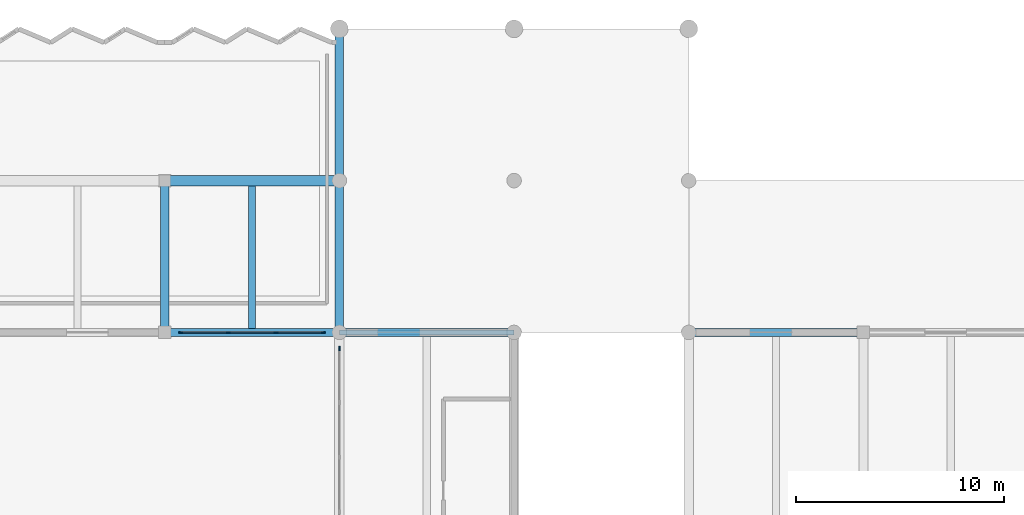
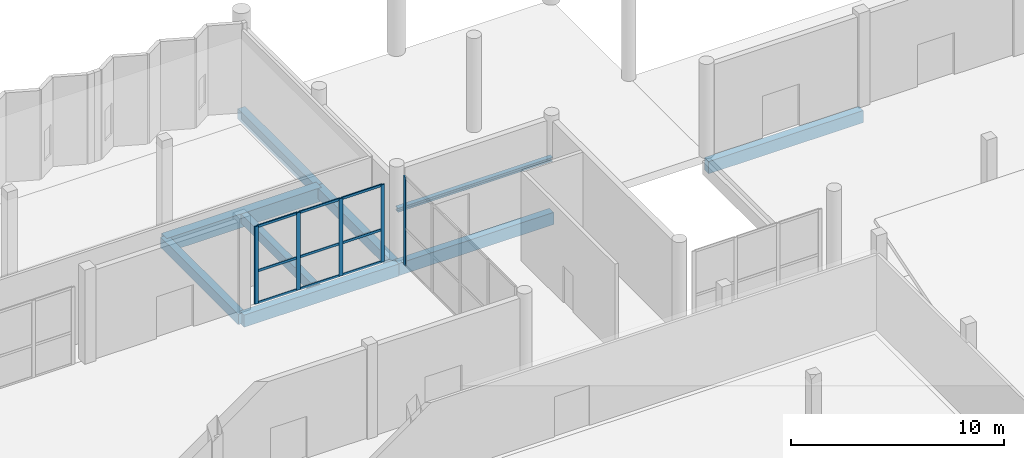
# One storey, part 17 of 41: 14 members, 9 beams, 2 elements without a shape of their own.
"""IFC4 building model written with IfcOpenShell, lengths in metres."""

from ifc_helpers import new_model, si_unit, direction, frame, origin, origin_2d, place, context, subcontext, project, spatial, rectangle, i_section, extrude, material, material_profile, profile_set, type_object, element, aggregate, save


model = new_model("IFC4")

# Units and contexts
model_context = context("Model", 3, precision=1e-05, world=origin(), true_north=direction((0.0, 1.0)))
body_context = subcontext(model_context, "Body", "Model", "MODEL_VIEW")
ifc_project = project(units=[si_unit("LENGTHUNIT", "METRE"), si_unit("AREAUNIT", "SQUARE_METRE"), si_unit("VOLUMEUNIT", "CUBIC_METRE"), si_unit("PLANEANGLEUNIT", "RADIAN"), si_unit("MASSUNIT", "GRAM", prefix="KILO")], contexts=[model_context])

# Site, building, storey
site_placement = place(None, origin())
site = spatial("IfcSite", under=ifc_project, at=site_placement, CompositionType="ELEMENT")
building_placement = place(site_placement, origin())
building = spatial("IfcBuilding", under=site, at=building_placement, Name="Vharandega Faculty of Natural Sciences", CompositionType="ELEMENT")
storey_placement = place(building_placement, origin())
storey = spatial("IfcBuildingStorey", under=building, at=storey_placement, Name="L00", CompositionType="ELEMENT", Elevation=0.0)

# Curtain wall, members
ifc_material_1 = material(Name="Aluminium and solar-control glass curtain wall", Category="aluminium")
curtain_wall_type_1 = type_object("IfcCurtainWallType", Name="Unitised Curtain Wall System CW-12", PredefinedType="NOTDEFINED", material=ifc_material_1)
curtain_wall_1_placement = place(storey_placement, origin())
curtain_wall_1 = element("IfcCurtainWall", 1, at=curtain_wall_1_placement, inside=storey, type_object=curtain_wall_type_1, Name="Curtain Wall CW-L00-039", PredefinedType="NOTDEFINED")
ifc_material_2 = material(Name="Thermally broken aluminium 6063-T6", Category="aluminium")
ifc_material_profile_1 = material_profile(ifc_material_2, rectangle(XDim=0.070068359375, YDim=0.199951171875, at=origin_2d()), Name="ALU 70x200")
ifc_profile_set_1 = profile_set([ifc_material_profile_1], Name="Thermally broken aluminium 6063-T6")
member_type_1 = type_object("IfcMemberType", Name="CW Mullion 70x200", PredefinedType="MULLION", material=ifc_profile_set_1)
member_1_placement = place(storey_placement, frame((65.175048828125, 97.0, 0.0), z_axis=(0.0, 0.0, 1.0), x_axis=(0.0, 1.0, 0.0)))
member_1 = element("IfcMember", 2, at=member_1_placement, type_object=member_type_1, Name="CW-12 mullion 1", PredefinedType="MULLION", context=body_context, shape_type="SweptSolid", body=[
    extrude(rectangle(XDim=0.070068359375, YDim=0.199951171875, at=origin_2d()), origin(), (0.0, 0.0, 1.0), 4.43994140625),
])
member_2_placement = place(storey_placement, frame((67.44677734375, 97.0, 0.0), z_axis=(0.0, 0.0, 1.0), x_axis=(0.0, 1.0, 0.0)))
member_2 = element("IfcMember", 3, at=member_2_placement, type_object=member_type_1, Name="CW-12 mullion 2", PredefinedType="MULLION", context=body_context, shape_type="SweptSolid", body=[
    extrude(rectangle(XDim=0.070068359375, YDim=0.199951171875, at=origin_2d()), origin(), (0.0, 0.0, 1.0), 4.43994140625),
])
member_3_placement = place(storey_placement, frame((69.75341796875, 97.0, 0.0), z_axis=(0.0, 0.0, 1.0), x_axis=(0.0, 1.0, 0.0)))
member_3 = element("IfcMember", 4, at=member_3_placement, type_object=member_type_1, Name="CW-12 mullion 3", PredefinedType="MULLION", context=body_context, shape_type="SweptSolid", body=[
    extrude(rectangle(XDim=0.070068359375, YDim=0.199951171875, at=origin_2d()), origin(), (0.0, 0.0, 1.0), 4.43994140625),
])
member_4_placement = place(storey_placement, frame((72.02490234375, 97.0, 0.0), z_axis=(0.0, 0.0, 1.0), x_axis=(0.0, 1.0, 0.0)))
member_4 = element("IfcMember", 5, at=member_4_placement, type_object=member_type_1, Name="CW-12 mullion 4", PredefinedType="MULLION", context=body_context, shape_type="SweptSolid", body=[
    extrude(rectangle(XDim=0.070068359375, YDim=0.199951171875, at=origin_2d()), origin(), (0.0, 0.0, 1.0), 4.43994140625),
])

# Curtain wall, member
ifc_material_3 = material(Name="Aluminium and solar-control glass curtain wall", Category="aluminium")
curtain_wall_type_2 = type_object("IfcCurtainWallType", Name="Unitised Curtain Wall System CW-19", PredefinedType="NOTDEFINED", material=ifc_material_3)
curtain_wall_2_placement = place(storey_placement, origin())
curtain_wall_2 = element("IfcCurtainWall", 6, at=curtain_wall_2_placement, inside=storey, type_object=curtain_wall_type_2, Name="Curtain Wall CW-L00-074", PredefinedType="NOTDEFINED")
member_5_placement = place(storey_placement, frame((72.800048828125, 96.22509765625, 0.0), z_axis=(0.0, 0.0, 1.0), x_axis=(-1.0, 0.0, 0.0)))
member_5 = element("IfcMember", 7, at=member_5_placement, type_object=member_type_1, Name="CW-19 mullion 5", PredefinedType="MULLION", context=body_context, shape_type="SweptSolid", body=[
    extrude(rectangle(XDim=0.070068359375, YDim=0.199951171875, at=origin_2d()), origin(), (0.0, 0.0, 1.0), 5.10009765625),
])
aggregate(curtain_wall_2, [member_5])

# Member
ifc_material_4 = material(Name="Thermally broken aluminium 6063-T6", Category="aluminium")
ifc_material_profile_2 = material_profile(ifc_material_4, rectangle(XDim=0.06494140625, YDim=0.135009765625, at=origin_2d()), Name="ALU 65x135")
ifc_profile_set_2 = profile_set([ifc_material_profile_2], Name="Thermally broken aluminium 6063-T6")
member_type_2 = type_object("IfcMemberType", Name="CW Transom 65x135", PredefinedType="USERDEFINED", material=ifc_profile_set_2)
member_6_placement = place(storey_placement, frame((65.2099609375, 97.0, 0.032470703125), z_axis=(1.0, 0.0, 0.0), x_axis=(0.0, 1.0, 0.0)))
member_6 = element("IfcMember", 8, at=member_6_placement, type_object=member_type_2, Name="CW-12 transom 1.1", ObjectType="TRANSOM", PredefinedType="USERDEFINED", context=body_context, shape_type="SweptSolid", body=[
    extrude(rectangle(XDim=0.06494140625, YDim=0.135009765625, at=origin_2d()), origin(), (0.0, 0.0, 1.0), 2.20166015625),
])

member_7_placement = place(storey_placement, frame((65.2099609375, 97.0, 1.86474609375), z_axis=(1.0, 0.0, 0.0), x_axis=(0.0, 1.0, 0.0)))
member_7 = element("IfcMember", 9, at=member_7_placement, type_object=member_type_2, Name="CW-12 transom 1.2", ObjectType="TRANSOM", PredefinedType="USERDEFINED", context=body_context, shape_type="SweptSolid", body=[
    extrude(rectangle(XDim=0.06494140625, YDim=0.135009765625, at=origin_2d()), origin(), (0.0, 0.0, 1.0), 2.20166015625),
])

member_8_placement = place(storey_placement, frame((65.2099609375, 97.0, 4.407470703125), z_axis=(1.0, 0.0, 0.0), x_axis=(0.0, 1.0, 0.0)))
member_8 = element("IfcMember", 10, at=member_8_placement, type_object=member_type_2, Name="CW-12 transom 1.3", ObjectType="TRANSOM", PredefinedType="USERDEFINED", context=body_context, shape_type="SweptSolid", body=[
    extrude(rectangle(XDim=0.06494140625, YDim=0.135009765625, at=origin_2d()), origin(), (0.0, 0.0, 1.0), 2.20166015625),
])

member_9_placement = place(storey_placement, frame((67.481689453125, 97.0, 0.032470703125), z_axis=(1.0, 0.0, 0.0), x_axis=(0.0, 1.0, 0.0)))
member_9 = element("IfcMember", 11, at=member_9_placement, type_object=member_type_2, Name="CW-12 transom 2.1", ObjectType="TRANSOM", PredefinedType="USERDEFINED", context=body_context, shape_type="SweptSolid", body=[
    extrude(rectangle(XDim=0.06494140625, YDim=0.135009765625, at=origin_2d()), origin(), (0.0, 0.0, 1.0), 2.236572265625),
])

member_10_placement = place(storey_placement, frame((67.481689453125, 97.0, 1.86474609375), z_axis=(1.0, 0.0, 0.0), x_axis=(0.0, 1.0, 0.0)))
member_10 = element("IfcMember", 12, at=member_10_placement, type_object=member_type_2, Name="CW-12 transom 2.2", ObjectType="TRANSOM", PredefinedType="USERDEFINED", context=body_context, shape_type="SweptSolid", body=[
    extrude(rectangle(XDim=0.06494140625, YDim=0.135009765625, at=origin_2d()), origin(), (0.0, 0.0, 1.0), 2.236572265625),
])

member_11_placement = place(storey_placement, frame((67.481689453125, 97.0, 4.407470703125), z_axis=(1.0, 0.0, 0.0), x_axis=(0.0, 1.0, 0.0)))
member_11 = element("IfcMember", 13, at=member_11_placement, type_object=member_type_2, Name="CW-12 transom 2.3", ObjectType="TRANSOM", PredefinedType="USERDEFINED", context=body_context, shape_type="SweptSolid", body=[
    extrude(rectangle(XDim=0.06494140625, YDim=0.135009765625, at=origin_2d()), origin(), (0.0, 0.0, 1.0), 2.236572265625),
])

member_12_placement = place(storey_placement, frame((69.788330078125, 97.0, 0.032470703125), z_axis=(1.0, 0.0, 0.0), x_axis=(0.0, 1.0, 0.0)))
member_12 = element("IfcMember", 14, at=member_12_placement, type_object=member_type_2, Name="CW-12 transom 3.1", ObjectType="TRANSOM", PredefinedType="USERDEFINED", context=body_context, shape_type="SweptSolid", body=[
    extrude(rectangle(XDim=0.06494140625, YDim=0.135009765625, at=origin_2d()), origin(), (0.0, 0.0, 1.0), 2.20166015625),
])

member_13_placement = place(storey_placement, frame((69.788330078125, 97.0, 1.86474609375), z_axis=(1.0, 0.0, 0.0), x_axis=(0.0, 1.0, 0.0)))
member_13 = element("IfcMember", 15, at=member_13_placement, type_object=member_type_2, Name="CW-12 transom 3.2", ObjectType="TRANSOM", PredefinedType="USERDEFINED", context=body_context, shape_type="SweptSolid", body=[
    extrude(rectangle(XDim=0.06494140625, YDim=0.135009765625, at=origin_2d()), origin(), (0.0, 0.0, 1.0), 2.20166015625),
])

member_14_placement = place(storey_placement, frame((69.788330078125, 97.0, 4.407470703125), z_axis=(1.0, 0.0, 0.0), x_axis=(0.0, 1.0, 0.0)))
member_14 = element("IfcMember", 16, at=member_14_placement, type_object=member_type_2, Name="CW-12 transom 3.3", ObjectType="TRANSOM", PredefinedType="USERDEFINED", context=body_context, shape_type="SweptSolid", body=[
    extrude(rectangle(XDim=0.06494140625, YDim=0.135009765625, at=origin_2d()), origin(), (0.0, 0.0, 1.0), 2.20166015625),
])

aggregate(curtain_wall_1, [member_1, member_2, member_3, member_4, member_6, member_7, member_8, member_9, member_10, member_11, member_12, member_13, member_14])

# Beams
ifc_material_5 = material(Name="Concrete C40/50", Category="concrete")
ifc_material_profile_3 = material_profile(ifc_material_5, rectangle(XDim=0.5, YDim=0.800048828125, at=origin_2d()), Name="RC 500x800")
ifc_profile_set_3 = profile_set([ifc_material_profile_3], Name="Concrete C40/50")
beam_type_1 = type_object("IfcBeamType", Name="Podium Heavy Girder 500x800", PredefinedType="BEAM", material=ifc_profile_set_3)
beam_1_placement = place(storey_placement, frame((64.39990234375, 104.300048828125, -0.679931640625), z_axis=(1.0, 0.0, 0.0), x_axis=(0.0, 1.0, 0.0)))
element("IfcBeam", 17, at=beam_1_placement, inside=storey, type_object=beam_type_1, Name="Beam L00 P/9-10", PredefinedType="BEAM", context=body_context, shape_type="SweptSolid", body=[
    extrude(rectangle(XDim=0.5, YDim=0.800048828125, at=origin_2d()), origin(), (0.0, 0.0, 1.0), 8.400146484375),
])
ifc_material_6 = material(Name="Concrete C40/50", Category="concrete")
ifc_material_profile_4 = material_profile(ifc_material_6, rectangle(XDim=0.39990234375, YDim=0.60009765625, at=origin_2d()), Name="RC 400x600")
ifc_profile_set_4 = profile_set([ifc_material_profile_4], Name="Concrete C40/50")
beam_type_2 = type_object("IfcBeamType", Name="Podium Rib Beam 400x600", PredefinedType="BEAM", material=ifc_profile_set_4)
for number, where, z_axis, x_axis, name in (
    (18, (64.39990234375, 97.0, -0.580078125), (0.0, 1.0, 0.0), (-1.0, 0.0, 0.0), "Beam L00 9/N-P"),
    (19, (72.800048828125, 97.0, -0.580078125), (0.0, 1.0, 0.0), (-1.0, 0.0, 0.0), "Beam L00 10/N-P"),
    (20, (72.800048828125, 104.300048828125, -0.580078125), (0.0, 1.0, 0.0), (-1.0, 0.0, 0.0), "Beam L00 10/P-Q"),
):
    element("IfcBeam", number, at=place(storey_placement, frame(where, z_axis=z_axis, x_axis=x_axis)), inside=storey, type_object=beam_type_2, Name=name, PredefinedType="BEAM", context=body_context, shape_type="SweptSolid", body=[
        extrude(rectangle(XDim=0.39990234375, YDim=0.60009765625, at=origin_2d()), origin(), (0.0, 0.0, 1.0), 7.300048828125),
    ])
ifc_material_7 = material(Name="Concrete C40/50", Category="concrete")
ifc_material_profile_5 = material_profile(ifc_material_7, rectangle(XDim=0.35009765625, YDim=0.550048828125, at=origin_2d()), Name="RC 350x550")
ifc_profile_set_5 = profile_set([ifc_material_profile_5], Name="Concrete C40/50")
beam_type_3 = type_object("IfcBeamType", Name="Podium Secondary Beam 350x550", PredefinedType="JOIST", material=ifc_profile_set_5)
beam_2_placement = place(storey_placement, frame((68.60009765625, 97.199951171875, -0.554931640625), z_axis=(0.0, 1.0, 0.0), x_axis=(-1.0, 0.0, 0.0)))
element("IfcBeam", 21, at=beam_2_placement, inside=storey, type_object=beam_type_3, Name="Secondary Joist L00 9-10/N-P", PredefinedType="JOIST", context=body_context, shape_type="SweptSolid", body=[
    extrude(rectangle(XDim=0.35009765625, YDim=0.550048828125, at=origin_2d()), origin(), (0.0, 0.0, 1.0), 6.85009765625),
])
ifc_material_8 = material(Name="Concrete C40/50", Category="concrete")
ifc_material_profile_6 = material_profile(ifc_material_8, rectangle(XDim=0.39990234375, YDim=0.699951171875, at=origin_2d()), Name="RC 400x700")
ifc_profile_set_6 = profile_set([ifc_material_profile_6], Name="Concrete C40/50")
beam_type_4 = type_object("IfcBeamType", Name="Podium Spandrel Beam 400x700", PredefinedType="SPANDREL", material=ifc_profile_set_6)
beam_3_placement = place(storey_placement, frame((64.39990234375, 97.0, -0.6298828125), z_axis=(1.0, 0.0, 0.0), x_axis=(0.0, 1.0, 0.0)))
element("IfcBeam", 22, at=beam_3_placement, inside=storey, type_object=beam_type_4, Name="Beam L00 N/9-10", PredefinedType="SPANDREL", context=body_context, shape_type="SweptSolid", body=[
    extrude(rectangle(XDim=0.39990234375, YDim=0.699951171875, at=origin_2d()), origin(), (0.0, 0.0, 1.0), 8.400146484375),
])
for number, where, z_axis, x_axis, name in (
    (23, (72.800048828125, 97.0, -0.610107421875), (1.0, 0.0, 0.0), (0.0, 1.0, 0.0), "Beam L00 N/10-11"),
    (24, (89.60009765625, 97.0, -0.64990234375), (1.0, 0.0, 0.0), (0.0, 1.0, 0.0), "Beam L00 N/12-13"),
):
    element("IfcBeam", number, at=place(storey_placement, frame(where, z_axis=z_axis, x_axis=x_axis)), inside=storey, type_object=beam_type_4, Name=name, PredefinedType="SPANDREL", context=body_context, shape_type="SweptSolid", body=[
        extrude(rectangle(XDim=0.39990234375, YDim=0.699951171875, at=origin_2d()), origin(), (0.0, 0.0, 1.0), 8.39990234375),
    ])
ifc_material_9 = material(Name="Steel S355", Category="steel")
ifc_material_profile_7 = material_profile(ifc_material_9, i_section(OverallWidth=0.239990234375, OverallDepth=0.22998046875, WebThickness=0.007568359375, FlangeThickness=0.011962890625, FilletRadius=0.02099609375, at=origin_2d()), Name="HEA 240")
ifc_profile_set_7 = profile_set([ifc_material_profile_7], Name="Steel S355")
beam_type_5 = type_object("IfcBeamType", Name="Steel Heavy Lintel HEA 240", PredefinedType="LINTEL", material=ifc_profile_set_7)
beam_4_placement = place(storey_placement, frame((72.800048828125, 97.0, 2.735107421875), z_axis=(1.0, 0.0, 0.0), x_axis=(0.0, 1.0, 0.0)))
element("IfcBeam", 25, at=beam_4_placement, inside=storey, type_object=beam_type_5, Name="Opening Lintel L00-02", PredefinedType="LINTEL", context=body_context, shape_type="SweptSolid", body=[
    extrude(i_section(OverallWidth=0.239990234375, OverallDepth=0.22998046875, WebThickness=0.007568359375, FlangeThickness=0.011962890625, FilletRadius=0.02099609375, at=origin_2d()), origin(), (0.0, 0.0, 1.0), 8.39990234375),
])

save(model, "model.ifc")
